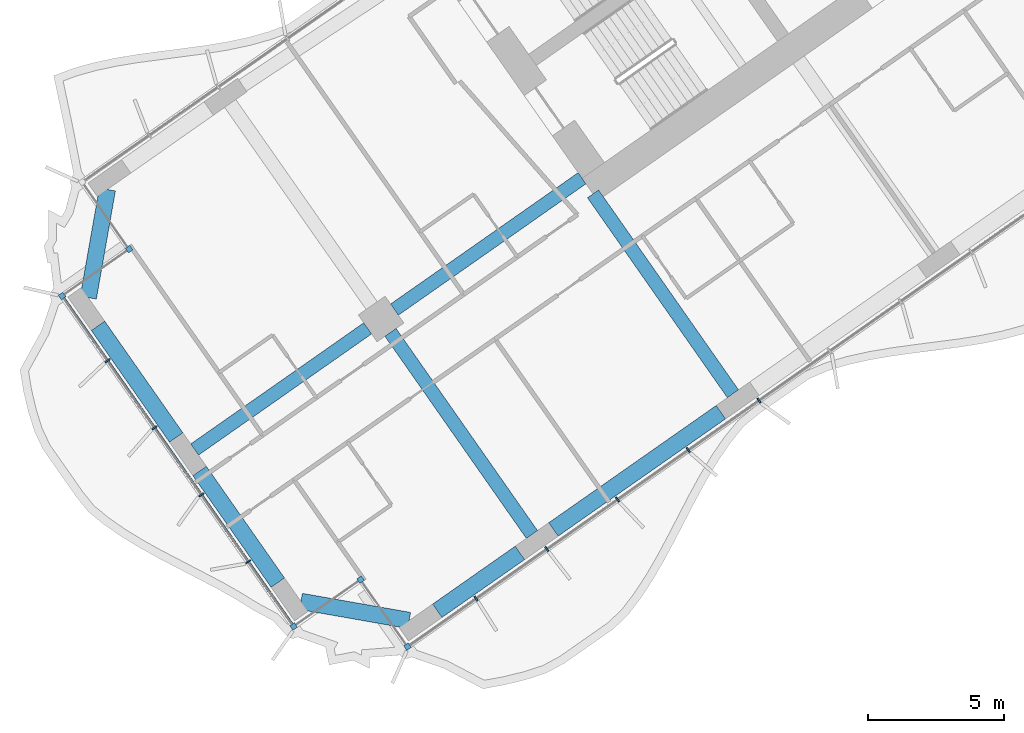
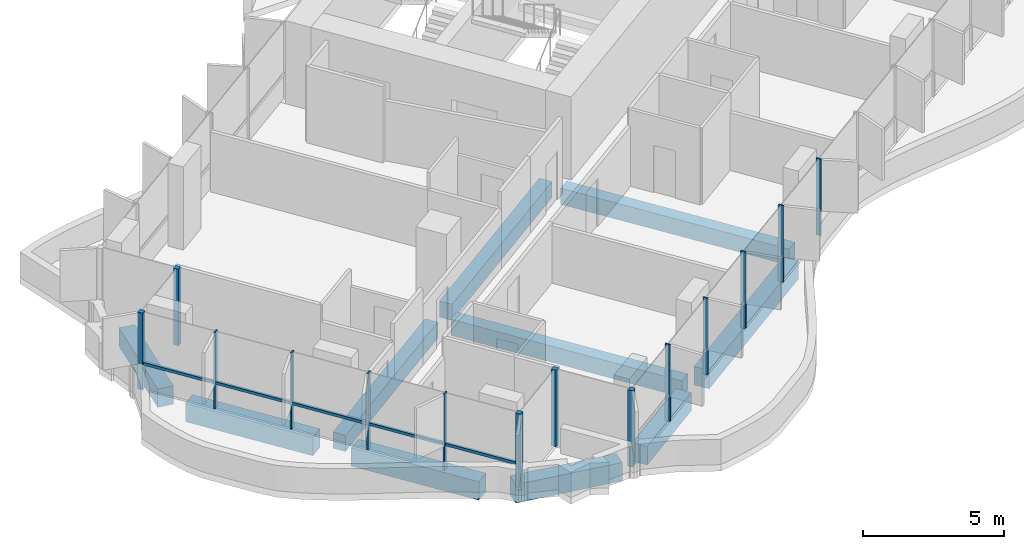
# One storey, part 2 of 22: 15 members, 10 beams, 1 element without a shape of its own.
"""IFC4 building model written with IfcOpenShell, lengths in metres."""

from ifc_helpers import new_model, si_unit, direction, frame, origin, origin_2d, place, context, subcontext, project, spatial, rectangle, extrude, material, material_profile, profile_set, type_object, element, aggregate, save


model = new_model("IFC4")

# Units and contexts
model_context = context("Model", 3, precision=1e-05, world=origin(), true_north=direction((0.0, 1.0)))
body_context = subcontext(model_context, "Body", "Model", "MODEL_VIEW")
ifc_project = project(units=[si_unit("LENGTHUNIT", "METRE"), si_unit("AREAUNIT", "SQUARE_METRE"), si_unit("VOLUMEUNIT", "CUBIC_METRE"), si_unit("PLANEANGLEUNIT", "RADIAN"), si_unit("MASSUNIT", "GRAM", prefix="KILO")], contexts=[model_context])

# Site, building, storey
site_placement = place(None, origin())
site = spatial("IfcSite", under=ifc_project, at=site_placement, CompositionType="ELEMENT")
building_placement = place(site_placement, origin())
building = spatial("IfcBuilding", under=site, at=building_placement, Name="Tel Ilan Convention Tower", CompositionType="ELEMENT")
storey_placement = place(building_placement, frame((0.0, 0.0, 122.89990234375)))
storey = spatial("IfcBuildingStorey", under=building, at=storey_placement, Name="L27", CompositionType="ELEMENT", Elevation=122.89990234375)

# Beams
ifc_material_1 = material(Name="Concrete C40/50", Category="concrete")
ifc_material_profile_1 = material_profile(ifc_material_1, rectangle(XDim=0.5, YDim=0.699951171875, at=origin_2d()), Name="RC 500x700")
ifc_profile_set_1 = profile_set([ifc_material_profile_1], Name="Concrete C40/50")
beam_type_1 = type_object("IfcBeamType", Name="Beam RC 500x700 Concrete C40/50", PredefinedType="BEAM", material=ifc_profile_set_1)
beam_1_placement = place(storey_placement, frame((-16.58203125, -23.391357421875, -0.6298828125), z_axis=(-0.573584999642, 0.819146048141, 0.0), x_axis=(-0.819146048141, -0.573584999642, 0.0)))
element("IfcBeam", 1, at=beam_1_placement, inside=storey, type_object=beam_type_1, Name="L27 beam W-W-F3-core", PredefinedType="BEAM", context=body_context, shape_type="SweptSolid", body=[
    extrude(rectangle(XDim=0.5, YDim=0.699951171875, at=origin_2d()), origin(), (0.0, 0.0, 1.0), 8.949951171875),
])
beam_2_placement = place(storey_placement, frame((-22.1171875, -15.486572265625, -0.6298828125), z_axis=(-0.819147254605, -0.573583276668, 0.0), x_axis=(0.573583276668, -0.819147254605, 0.0)))
element("IfcBeam", 2, at=beam_2_placement, inside=storey, type_object=beam_type_1, Name="L27 beam W-core-W-M4", PredefinedType="BEAM", context=body_context, shape_type="SweptSolid", body=[
    extrude(rectangle(XDim=0.5, YDim=0.699951171875, at=origin_2d()), origin(), (0.0, 0.0, 1.0), 8.400146484375),
])
beam_3_placement = place(storey_placement, frame((-29.98095703125, -20.992919921875, -0.6298828125), z_axis=(-0.819159394801, -0.573565938589, 0.0), x_axis=(0.573565938589, -0.819159394801, 0.0)))
element("IfcBeam", 3, at=beam_3_placement, inside=storey, type_object=beam_type_1, Name="L27 beam W-W-M4-end", PredefinedType="BEAM", context=body_context, shape_type="SweptSolid", body=[
    extrude(rectangle(XDim=0.5, YDim=0.699951171875, at=origin_2d()), origin(), (0.0, 0.0, 1.0), 7.75),
])
beam_4_placement = place(storey_placement, frame((-29.145263671875, -21.14013671875, -0.6298828125), z_axis=(0.573549245583, -0.819171082798, 0.0), x_axis=(0.819171082798, 0.573549245583, 0.0)))
element("IfcBeam", 4, at=beam_4_placement, inside=storey, type_object=beam_type_1, Name="L27 beam W-W-M4-W-F4", PredefinedType="BEAM", context=body_context, shape_type="SweptSolid", body=[
    extrude(rectangle(XDim=0.5, YDim=0.699951171875, at=origin_2d()), origin(), (0.0, 0.0, 1.0), 9.050048828125),
])
ifc_material_2 = material(Name="Concrete C40/50", Category="concrete")
ifc_material_profile_2 = material_profile(ifc_material_2, rectangle(XDim=0.60009765625, YDim=0.800048828125, at=origin_2d()), Name="RC 600x800")
ifc_profile_set_2 = profile_set([ifc_material_profile_2], Name="Concrete C40/50")
beam_type_2 = type_object("IfcBeamType", Name="Beam RC 600x800 Concrete C40/50", PredefinedType="BEAM", material=ifc_profile_set_2)
beam_5_placement = place(storey_placement, frame((-17.0244140625, -24.0673828125, -0.679931640625), z_axis=(-0.81915238829, -0.573575945067, 0.0), x_axis=(0.573575945067, -0.81915238829, 0.0)))
element("IfcBeam", 5, at=beam_5_placement, inside=storey, type_object=beam_type_2, Name="L27 beam W-W-F3-W-F4", PredefinedType="BEAM", context=body_context, shape_type="SweptSolid", body=[
    extrude(rectangle(XDim=0.60009765625, YDim=0.800048828125, at=origin_2d()), origin(), (0.0, 0.0, 1.0), 7.5),
])
beam_6_placement = place(storey_placement, frame((-24.396728515625, -29.2294921875, -0.679931640625), z_axis=(-0.819132709951, -0.573604047656, 0.0), x_axis=(0.573604047656, -0.819132709951, 0.0)))
element("IfcBeam", 6, at=beam_6_placement, inside=storey, type_object=beam_type_2, Name="L27 beam W-W-F4-W-FC", PredefinedType="BEAM", context=body_context, shape_type="SweptSolid", body=[
    extrude(rectangle(XDim=0.60009765625, YDim=0.800048828125, at=origin_2d()), origin(), (0.0, 0.0, 1.0), 3.699951171875),
])
beam_7_placement = place(storey_placement, frame((-28.459716796875, -31.708251953125, -0.679931640625), z_axis=(-0.984806721117, 0.173654029734, 0.0), x_axis=(-0.173654029734, -0.984806721117, 0.0)))
element("IfcBeam", 7, at=beam_7_placement, inside=storey, type_object=beam_type_2, Name="L27 beam W-W-FC-W-E1", PredefinedType="BEAM", context=body_context, shape_type="SweptSolid", body=[
    extrude(rectangle(XDim=0.60009765625, YDim=0.800048828125, at=origin_2d()), origin(), (0.0, 0.0, 1.0), 4.03076171875),
])
for number, where, z_axis, x_axis, name in (
    (8, (-33.277099609375, -30.3203125, -0.679931640625), (-0.573586866468, 0.819144740944, 0.0), (-0.819144740944, -0.573586866468, 0.0), "L27 beam W-W-E1-W-E2"),
    (9, (-37.00537109375, -24.995849609375, -0.679931640625), (-0.573586866468, 0.819144740944, 0.0), (-0.819144740944, -0.573586866468, 0.0), "L27 beam W-W-E2-W-E3"),
):
    element("IfcBeam", number, at=place(storey_placement, frame(where, z_axis=z_axis, x_axis=x_axis)), inside=storey, type_object=beam_type_2, Name=name, PredefinedType="BEAM", context=body_context, shape_type="SweptSolid", body=[
        extrude(rectangle(XDim=0.60009765625, YDim=0.800048828125, at=origin_2d()), origin(), (0.0, 0.0, 1.0), 5.0),
    ])
beam_8_placement = place(storey_placement, frame((-40.229736328125, -19.867919921875, -0.679931640625), z_axis=(0.173664388751, 0.984804894423, 0.0), x_axis=(-0.984804894423, 0.173664388751, 0.0)))
element("IfcBeam", 10, at=beam_8_placement, inside=storey, type_object=beam_type_2, Name="L27 beam W-W-E3-W-BC", PredefinedType="BEAM", context=body_context, shape_type="SweptSolid", body=[
    extrude(rectangle(XDim=0.60009765625, YDim=0.800048828125, at=origin_2d()), origin(), (0.0, 0.0, 1.0), 4.030517578125),
])

# Curtain wall, members
ifc_material_3 = material(Name="Aluminium, bronze anodised", Category="aluminium")
curtain_wall_type = type_object("IfcCurtainWallType", Name="CW1 UNITISED CURTAIN WALL, HOTEL TINTED GLASS", PredefinedType="NOTDEFINED", material=ifc_material_3)
curtain_wall_placement = place(storey_placement, origin())
curtain_wall = element("IfcCurtainWall", 11, at=curtain_wall_placement, inside=storey, type_object=curtain_wall_type, Name="Curtain wall CW1-21.02", PredefinedType="NOTDEFINED")
ifc_material_4 = material(Name="Aluminium, bronze anodised", Category="aluminium")
ifc_material_profile_3 = material_profile(ifc_material_4, rectangle(XDim=0.199951171875, YDim=0.199951171875, at=origin_2d()), Name="CW CORNER MULLION 200x200")
ifc_profile_set_3 = profile_set([ifc_material_profile_3], Name="Aluminium, bronze anodised")
member_type_1 = type_object("IfcMemberType", Name="CW CORNER MULLION 200x200", PredefinedType="MULLION", material=ifc_profile_set_3)
member_1_placement = place(storey_placement, frame((-38.730712890625, -18.0859375, 0.0), z_axis=(0.0, 0.0, 1.0), x_axis=(0.573576436351, -0.819152044289, 0.0)))
member_1 = element("IfcMember", 12, at=member_1_placement, type_object=member_type_1, Name="Corner mullion", PredefinedType="MULLION", context=body_context, shape_type="SweptSolid", body=[
    extrude(rectangle(XDim=0.199951171875, YDim=0.199951171875, at=origin_2d()), origin(), (0.0, 0.0, 1.0), 3.320068359375),
])
member_2_placement = place(storey_placement, frame((-41.188232421875, -19.806640625, 0.0), z_axis=(0.0, 0.0, 1.0), x_axis=(-0.819152044289, -0.573576436351, 0.0)))
member_2 = element("IfcMember", 13, at=member_2_placement, type_object=member_type_1, Name="Corner mullion", PredefinedType="MULLION", context=body_context, shape_type="SweptSolid", body=[
    extrude(rectangle(XDim=0.199951171875, YDim=0.199951171875, at=origin_2d()), origin(), (0.0, 0.0, 1.0), 3.320068359375),
])
member_3_placement = place(storey_placement, frame((-32.69921875, -31.929931640625, 0.0), z_axis=(0.0, 0.0, 1.0), x_axis=(0.573576436351, -0.819152044289, 0.0)))
member_3 = element("IfcMember", 14, at=member_3_placement, type_object=member_type_1, Name="Corner mullion", PredefinedType="MULLION", context=body_context, shape_type="SweptSolid", body=[
    extrude(rectangle(XDim=0.199951171875, YDim=0.199951171875, at=origin_2d()), origin(), (0.0, 0.0, 1.0), 3.320068359375),
])
member_4_placement = place(storey_placement, frame((-30.241943359375, -30.209228515625, 0.0), z_axis=(0.0, 0.0, 1.0), x_axis=(0.819152044289, 0.573576436351, 0.0)))
member_4 = element("IfcMember", 15, at=member_4_placement, type_object=member_type_1, Name="Corner mullion", PredefinedType="MULLION", context=body_context, shape_type="SweptSolid", body=[
    extrude(rectangle(XDim=0.199951171875, YDim=0.199951171875, at=origin_2d()), origin(), (0.0, 0.0, 1.0), 3.320068359375),
])
member_5_placement = place(storey_placement, frame((-28.52099609375, -32.666748046875, 0.0), z_axis=(0.0, 0.0, 1.0), x_axis=(0.573576436351, -0.819152044289, 0.0)))
member_5 = element("IfcMember", 16, at=member_5_placement, type_object=member_type_1, Name="Corner mullion", PredefinedType="MULLION", context=body_context, shape_type="SweptSolid", body=[
    extrude(rectangle(XDim=0.199951171875, YDim=0.199951171875, at=origin_2d()), origin(), (0.0, 0.0, 1.0), 3.320068359375),
])
ifc_material_5 = material(Name="Aluminium, bronze anodised", Category="aluminium")
ifc_material_profile_4 = material_profile(ifc_material_5, rectangle(XDim=0.06005859375, YDim=0.199951171875, at=origin_2d()), Name="CW MULLION 60x200")
ifc_profile_set_4 = profile_set([ifc_material_profile_4], Name="Aluminium, bronze anodised")
member_type_2 = type_object("IfcMemberType", Name="CW MULLION 60x200", PredefinedType="MULLION", material=ifc_profile_set_4)
member_6_placement = place(storey_placement, frame((-39.52490234375, -22.18212890625, 0.0), z_axis=(0.0, 0.0, 1.0), x_axis=(0.573576436351, -0.819152044289, 0.0)))
member_6 = element("IfcMember", 17, at=member_6_placement, type_object=member_type_2, Name="Mullion", PredefinedType="MULLION", context=body_context, shape_type="SweptSolid", body=[
    extrude(rectangle(XDim=0.06005859375, YDim=0.199951171875, at=origin_2d()), origin(), (0.0, 0.0, 1.0), 3.320068359375),
])
member_7_placement = place(storey_placement, frame((-37.80419921875, -24.6396484375, 0.0), z_axis=(0.0, 0.0, 1.0), x_axis=(0.573576436351, -0.819152044289, 0.0)))
member_7 = element("IfcMember", 18, at=member_7_placement, type_object=member_type_2, Name="Mullion", PredefinedType="MULLION", context=body_context, shape_type="SweptSolid", body=[
    extrude(rectangle(XDim=0.06005859375, YDim=0.199951171875, at=origin_2d()), origin(), (0.0, 0.0, 1.0), 3.320068359375),
])
member_8_placement = place(storey_placement, frame((-36.08349609375, -27.096923828125, 0.0), z_axis=(0.0, 0.0, 1.0), x_axis=(0.573576436351, -0.819152044289, 0.0)))
member_8 = element("IfcMember", 19, at=member_8_placement, type_object=member_type_2, Name="Mullion", PredefinedType="MULLION", context=body_context, shape_type="SweptSolid", body=[
    extrude(rectangle(XDim=0.06005859375, YDim=0.199951171875, at=origin_2d()), origin(), (0.0, 0.0, 1.0), 3.320068359375),
])
member_9_placement = place(storey_placement, frame((-34.362548828125, -29.554443359375, 0.0), z_axis=(0.0, 0.0, 1.0), x_axis=(0.573576436351, -0.819152044289, 0.0)))
member_9 = element("IfcMember", 20, at=member_9_placement, type_object=member_type_2, Name="Mullion", PredefinedType="MULLION", context=body_context, shape_type="SweptSolid", body=[
    extrude(rectangle(XDim=0.06005859375, YDim=0.199951171875, at=origin_2d()), origin(), (0.0, 0.0, 1.0), 3.320068359375),
])
member_10_placement = place(storey_placement, frame((-26.008056640625, -30.906982421875, 0.0), z_axis=(0.0, 0.0, 1.0), x_axis=(0.819152044289, 0.573576436351, 0.0)))
member_10 = element("IfcMember", 21, at=member_10_placement, type_object=member_type_2, Name="Mullion", PredefinedType="MULLION", context=body_context, shape_type="SweptSolid", body=[
    extrude(rectangle(XDim=0.06005859375, YDim=0.199951171875, at=origin_2d()), origin(), (0.0, 0.0, 1.0), 3.320068359375),
])
member_11_placement = place(storey_placement, frame((-23.412841796875, -29.08984375, 0.0), z_axis=(0.0, 0.0, 1.0), x_axis=(0.819152044289, 0.573576436351, 0.0)))
member_11 = element("IfcMember", 22, at=member_11_placement, type_object=member_type_2, Name="Mullion", PredefinedType="MULLION", context=body_context, shape_type="SweptSolid", body=[
    extrude(rectangle(XDim=0.06005859375, YDim=0.199951171875, at=origin_2d()), origin(), (0.0, 0.0, 1.0), 3.320068359375),
])
member_12_placement = place(storey_placement, frame((-20.81787109375, -27.27294921875, 0.0), z_axis=(0.0, 0.0, 1.0), x_axis=(0.819152044289, 0.573576436351, 0.0)))
member_12 = element("IfcMember", 23, at=member_12_placement, type_object=member_type_2, Name="Mullion", PredefinedType="MULLION", context=body_context, shape_type="SweptSolid", body=[
    extrude(rectangle(XDim=0.06005859375, YDim=0.199951171875, at=origin_2d()), origin(), (0.0, 0.0, 1.0), 3.320068359375),
])
member_13_placement = place(storey_placement, frame((-18.222900390625, -25.455810546875, 0.0), z_axis=(0.0, 0.0, 1.0), x_axis=(0.819152044289, 0.573576436351, 0.0)))
member_13 = element("IfcMember", 24, at=member_13_placement, type_object=member_type_2, Name="Mullion", PredefinedType="MULLION", context=body_context, shape_type="SweptSolid", body=[
    extrude(rectangle(XDim=0.06005859375, YDim=0.199951171875, at=origin_2d()), origin(), (0.0, 0.0, 1.0), 3.320068359375),
])
member_14_placement = place(storey_placement, frame((-15.627685546875, -23.638671875, 0.0), z_axis=(0.0, 0.0, 1.0), x_axis=(0.819152044289, 0.573576436351, 0.0)))
member_14 = element("IfcMember", 25, at=member_14_placement, type_object=member_type_2, Name="Mullion", PredefinedType="MULLION", context=body_context, shape_type="SweptSolid", body=[
    extrude(rectangle(XDim=0.06005859375, YDim=0.199951171875, at=origin_2d()), origin(), (0.0, 0.0, 1.0), 3.320068359375),
])
ifc_material_6 = material(Name="Aluminium, bronze anodised", Category="aluminium")
ifc_material_profile_5 = material_profile(ifc_material_6, rectangle(XDim=0.10009765625, YDim=0.1201171875, at=origin_2d()), Name="CW TRANSOM 100x120")
ifc_profile_set_5 = profile_set([ifc_material_profile_5], Name="Aluminium, bronze anodised")
member_type_3 = type_object("IfcMemberType", Name="CW TRANSOM 100x120", PredefinedType="USERDEFINED", material=ifc_profile_set_5)
member_15_placement = place(storey_placement, frame((-41.130859375, -19.888427734375, 1.10009765625), z_axis=(0.573575688231, -0.819152568128, 0.0), x_axis=(0.819152568128, 0.573575688231, 0.0)))
member_15 = element("IfcMember", 26, at=member_15_placement, type_object=member_type_3, Name="Transom", ObjectType="TRANSOM", PredefinedType="USERDEFINED", context=body_context, shape_type="SweptSolid", body=[
    extrude(rectangle(XDim=0.10009765625, YDim=0.1201171875, at=origin_2d()), origin(), (0.0, 0.0, 1.0), 14.60009765625),
])
aggregate(curtain_wall, [member_1, member_2, member_6, member_7, member_8, member_9, member_3, member_15, member_4, member_5, member_10, member_11, member_12, member_13, member_14])

save(model, "model.ifc")
